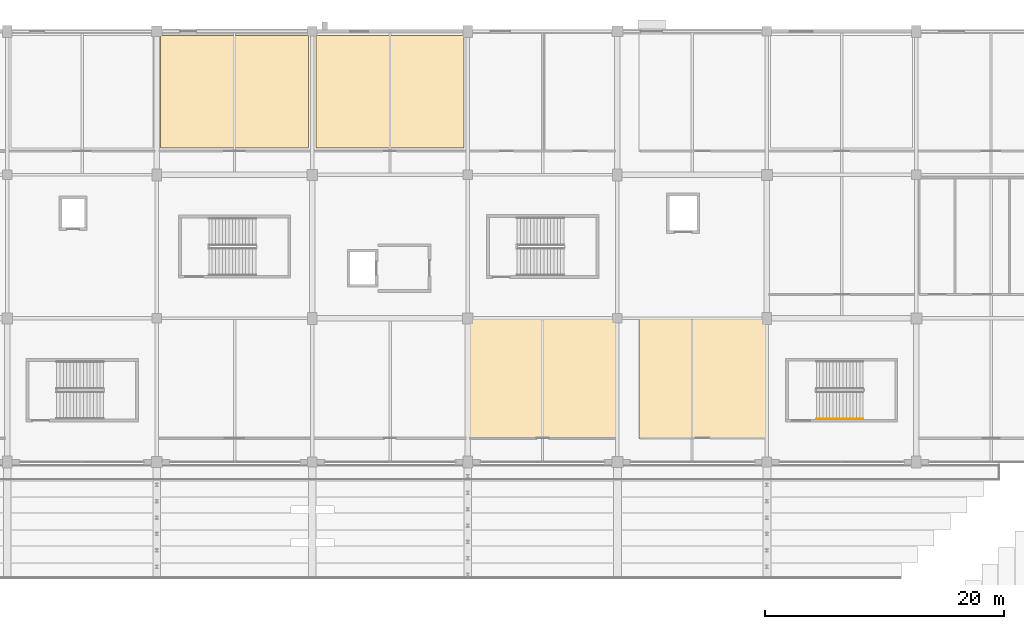
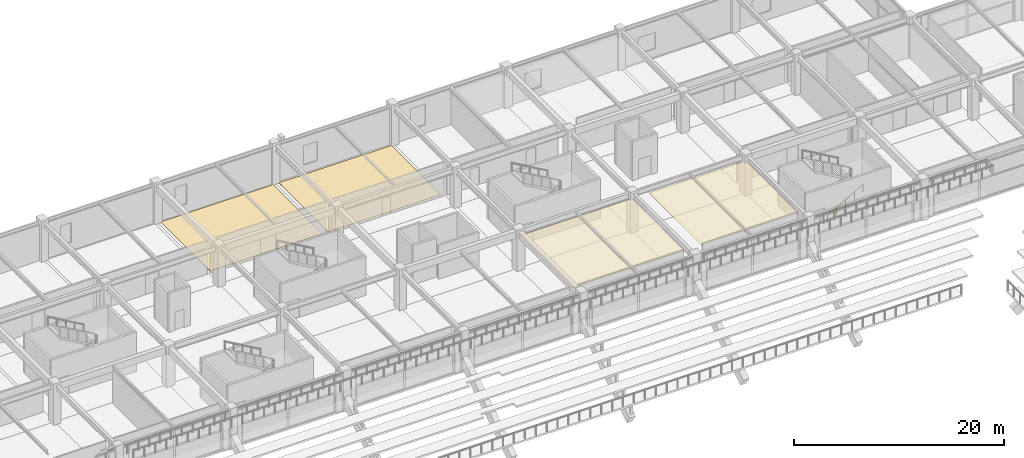
# One storey, part 131 of 134: 4 coverings, 1 railing.
"""IFC4 building model written with IfcOpenShell, lengths in metres."""

from ifc_helpers import new_model, si_unit, direction, frame, origin, origin_2d, place, context, subcontext, project, spatial, polyline, circle, outline, extrude, material, layer, layer_set, type_object, element, save


model = new_model("IFC4")

# Units and contexts
model_context = context("Model", 3, precision=1e-05, world=origin(), true_north=direction((0.0, 1.0)))
body_context = subcontext(model_context, "Body", "Model", "MODEL_VIEW")
ifc_project = project(units=[si_unit("LENGTHUNIT", "METRE"), si_unit("AREAUNIT", "SQUARE_METRE"), si_unit("VOLUMEUNIT", "CUBIC_METRE"), si_unit("PLANEANGLEUNIT", "RADIAN"), si_unit("MASSUNIT", "GRAM", prefix="KILO")], contexts=[model_context])

# Site, building, storey
site_placement = place(None, origin())
site = spatial("IfcSite", under=ifc_project, at=site_placement, CompositionType="ELEMENT")
building_placement = place(site_placement, origin())
building = spatial("IfcBuilding", under=site, at=building_placement, Name="Kazenohara Klinker Stadium", CompositionType="ELEMENT")
storey_placement = place(building_placement, frame((0.0, 0.0, 5.39990234375)))
storey = spatial("IfcBuildingStorey", under=building, at=storey_placement, Name="L01", CompositionType="ELEMENT", Elevation=5.39990234375)

# Coverings
ifc_material_1 = material(Name="Perforated acoustic mineral-fibre ceiling tile", Category="gypsum")
ifc_layer_1 = layer(ifc_material_1, 0.030029296875)
ifc_layer_set_1 = layer_set([ifc_layer_1], Name="Perforated acoustic mineral-fibre ceiling tile")
covering_type_1 = type_object("IfcCoveringType", Name="COV-CEIL-01", PredefinedType="CEILING", material=ifc_layer_set_1)
covering_1_placement = place(storey_placement, frame((0.0, 0.0, 3.75)))
element("IfcCovering", 1, at=covering_1_placement, inside=storey, type_object=covering_type_1, Name="Suspended acoustic ceiling CL01 Community Martial Arts Fitness Studio L01-1111A", PredefinedType="CEILING", context=body_context, shape_type="SweptSolid", body=[
    extrude(outline(polyline([(139.300048828125, 133.9599609375), (149.9599609375, 133.9599609375), (149.9599609375, 143.93994140625), (139.300048828125, 143.93994140625), (139.300048828125, 133.9599609375)])), origin(), (0.0, 0.0, 1.0), 0.030029296875),
])
ifc_material_2 = material(Name="Slatted Hokkaido cedar acoustic baffle ceiling", Category="wood")
ifc_layer_2 = layer(ifc_material_2, 0.0400390625)
ifc_layer_set_2 = layer_set([ifc_layer_2], Name="Slatted Hokkaido cedar acoustic baffle ceiling")
covering_type_2 = type_object("IfcCoveringType", Name="COV-CEIL-02", PredefinedType="CEILING", material=ifc_layer_set_2)
covering_2_placement = place(storey_placement, frame((0.0, 0.0, 3.739990234375)))
element("IfcCovering", 2, at=covering_2_placement, inside=storey, type_object=covering_type_2, Name="Suspended acoustic ceiling CL02 Youth Sports Coaching Classroom L01-1011A", PredefinedType="CEILING", context=body_context, shape_type="SweptSolid", body=[
    extrude(outline(polyline([(125.0400390625, 133.9599609375), (137.4599609375, 133.9599609375), (137.4599609375, 143.93994140625), (125.0400390625, 143.93994140625), (125.0400390625, 133.9599609375)])), origin(), (0.0, 0.0, 1.0), 0.0400390625),
])
ifc_material_3 = material(Name="Slip-resistant honed basalt terrazzo flooring", Category="masonry")
ifc_layer_3 = layer(ifc_material_3, 0.02001953125)
ifc_layer_set_3 = layer_set([ifc_layer_3], Name="Slip-resistant honed basalt terrazzo flooring")
covering_type_3 = type_object("IfcCoveringType", Name="COV-FLR-01", PredefinedType="FLOORING", material=ifc_layer_set_3)
covering_3_placement = place(storey_placement, origin())
element("IfcCovering", 3, at=covering_3_placement, inside=storey, type_object=covering_type_3, Name="Interior floor finish FL01 Supporter Scarf and Jersey Retail Shop L01-0813A", PredefinedType="FLOORING", context=body_context, shape_type="SweptSolid", body=[
    extrude(outline(polyline([(99.31005859375, 158.22998046875), (111.68994140625, 158.22998046875), (111.68994140625, 167.669921875), (99.31005859375, 167.669921875), (99.31005859375, 158.22998046875)])), origin(), (0.0, 0.0, 1.0), 0.02001953125),
])
ifc_material_4 = material(Name="Cushioned EPDM sports rubber flooring", Category="rubber")
ifc_layer_4 = layer(ifc_material_4, 0.014892578125)
ifc_layer_set_4 = layer_set([ifc_layer_4], Name="Cushioned EPDM sports rubber flooring")
covering_type_4 = type_object("IfcCoveringType", Name="COV-FLR-02", PredefinedType="FLOORING", material=ifc_layer_set_4)
covering_4_placement = place(storey_placement, origin())
element("IfcCovering", 4, at=covering_4_placement, inside=storey, type_object=covering_type_4, Name="Interior floor finish FL02 Spectator First-Aid Medical Clinic L01-0913A", PredefinedType="FLOORING", context=body_context, shape_type="SweptSolid", body=[
    extrude(outline(polyline([(112.31005859375, 158.22998046875), (124.68994140625, 158.22998046875), (124.68994140625, 167.669921875), (112.31005859375, 167.669921875), (112.31005859375, 158.22998046875)])), origin(), (0.0, 0.0, 1.0), 0.01513671875),
])

# Railing
ifc_material_5 = material(Name="Brushed stainless steel 304 handrail", Category="steel")
ifc_layer_5 = layer(ifc_material_5, 0.050048828125)
ifc_layer_set_5 = layer_set([ifc_layer_5], Name="Brushed stainless steel 304 handrail")
railing_type = type_object("IfcRailingType", Name="RL-HND-900", PredefinedType="HANDRAIL", material=ifc_layer_set_5)
railing_placement = place(storey_placement, frame((154.1298828125, 135.610107421875, 0.16015625)))
element("IfcRailing", 5, at=railing_placement, inside=storey, type_object=railing_type, Name="L01 ST20 stair handrail 1", PredefinedType="HANDRAIL", context=body_context, shape_type="SweptSolid", body=[
    extrude(circle(Radius=0.02392578125, at=origin_2d()), frame((0.0, 0.0, 0.8759765625), z_axis=(0.86825312469, 0.0, 0.496121468458), x_axis=(0.0, 1.0, 0.0)), (0.0, 0.0, 1.0), 4.514892578125),
    extrude(circle(Radius=0.02099609375, at=origin_2d()), origin(), (0.0, 0.0, 1.0), 0.851806640625),
    extrude(circle(Radius=0.02099609375, at=origin_2d()), frame((0.97998046875, 0.0, 0.56005859375)), (0.0, 0.0, 1.0), 0.851806640625),
    extrude(circle(Radius=0.02099609375, at=origin_2d()), frame((1.9599609375, 0.0, 1.1201171875)), (0.0, 0.0, 1.0), 0.851806640625),
    extrude(circle(Radius=0.02099609375, at=origin_2d()), frame((2.940185546875, 0.0, 1.679931640625)), (0.0, 0.0, 1.0), 0.851806640625),
    extrude(circle(Radius=0.02099609375, at=origin_2d()), frame((3.920166015625, 0.0, 2.239990234375)), (0.0, 0.0, 1.0), 0.851806640625),
])

save(model, "model.ifc")
